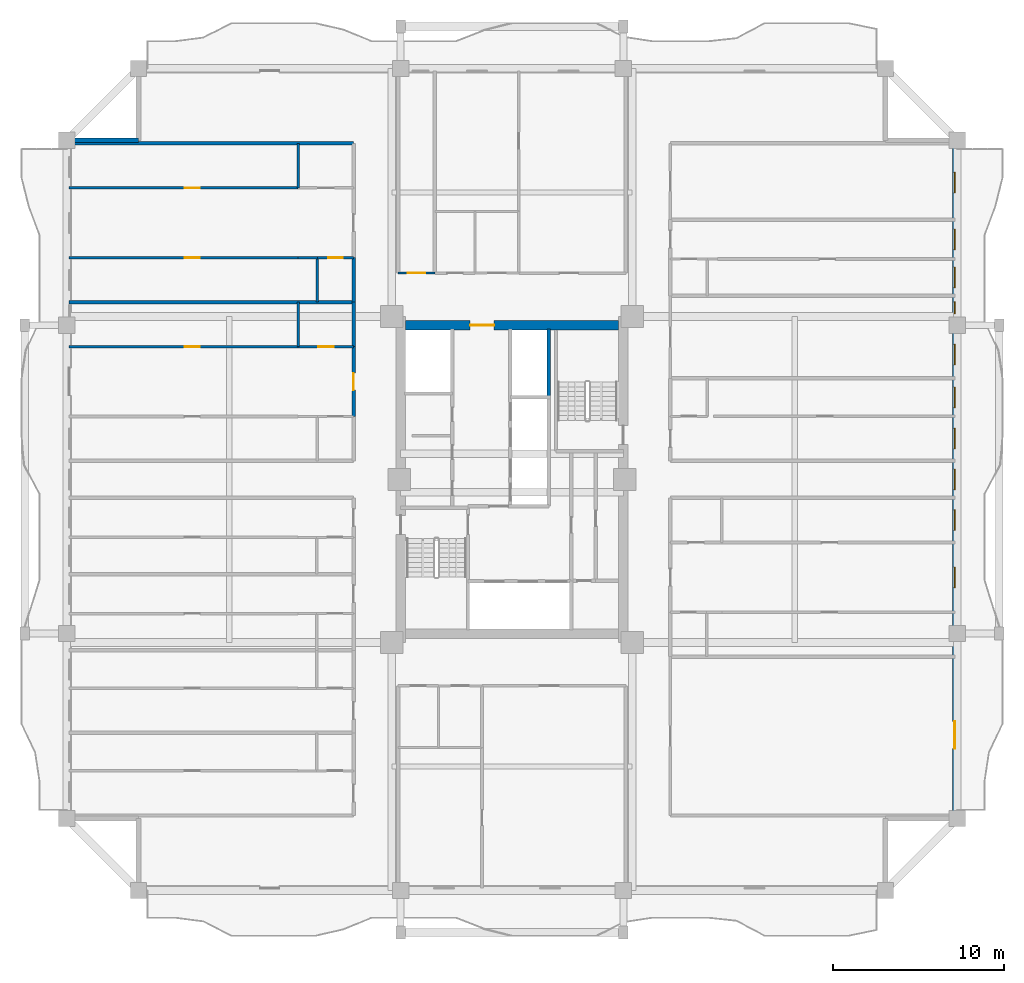
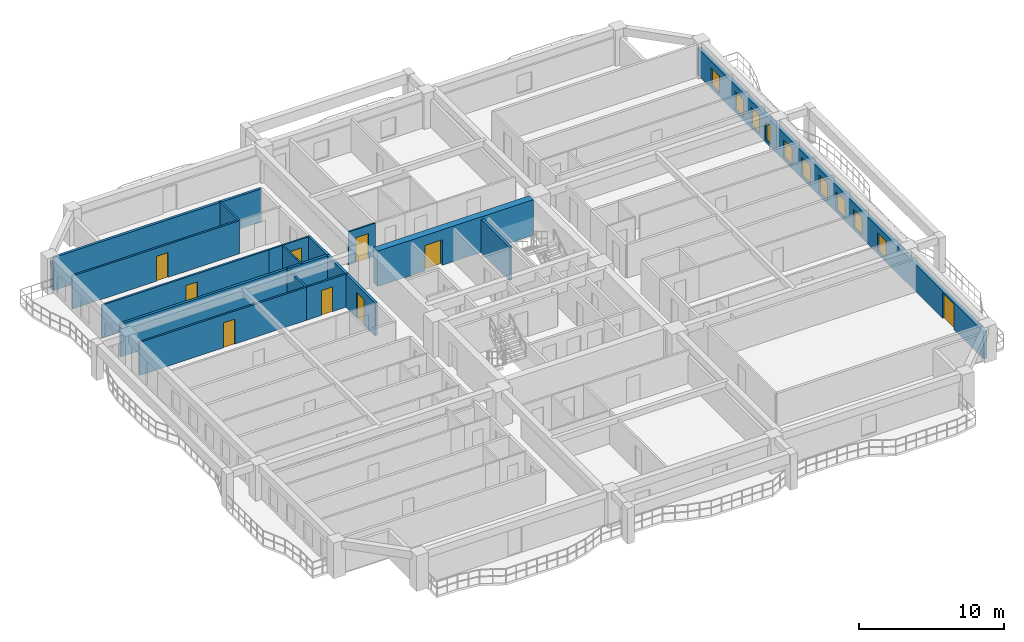
# One storey, part 6 of 13: 19 walls, 10 windows, 9 doors, 19 openings.
"""IFC4 building model written with IfcOpenShell, lengths in metres."""

from ifc_helpers import new_model, si_unit, direction, frame, frame_2d, origin, place, context, subcontext, project, spatial, rectangle, extrude, source, transform, mapped, material, layer, layer_set, type_object, element, fill, save


model = new_model("IFC4")

# Units and contexts
model_context = context("Model", 3, precision=1e-05, world=origin(), true_north=direction((0.0, 1.0)))
body_context = subcontext(model_context, "Body", "Model", "MODEL_VIEW")
ifc_project = project(units=[si_unit("LENGTHUNIT", "METRE"), si_unit("AREAUNIT", "SQUARE_METRE"), si_unit("VOLUMEUNIT", "CUBIC_METRE"), si_unit("PLANEANGLEUNIT", "RADIAN"), si_unit("MASSUNIT", "GRAM", prefix="KILO")], contexts=[model_context])

# Site, building, storey
site_placement = place(None, origin())
site = spatial("IfcSite", under=ifc_project, at=site_placement, CompositionType="ELEMENT")
building_placement = place(site_placement, origin())
building = spatial("IfcBuilding", under=site, at=building_placement, Name="Saelheon Loggia Tower", CompositionType="ELEMENT")
storey_placement = place(building_placement, frame((0.0, 0.0, 132.75)))
storey = spatial("IfcBuildingStorey", under=building, at=storey_placement, Name="L42", CompositionType="ELEMENT", Elevation=132.75)

# Wall, opening, door
ifc_material_1 = material(Name="Concrete C50/60", Category="concrete")
ifc_layer_1 = layer(ifc_material_1, 0.550048828125)
ifc_layer_set_1 = layer_set([ifc_layer_1], Name="Concrete C50/60")
wall_type_1 = type_object("IfcWallType", Name="Wall_CoreShear_550", PredefinedType="SHEAR", material=ifc_layer_set_1)
wall_1_placement = place(storey_placement, frame((31.77490234375, 36.0, 0.0), z_axis=(0.0, 0.0, 1.0), x_axis=(1.0, 0.0, 0.0)))
wall_1 = element("IfcWall", 1, at=wall_1_placement, inside=storey, type_object=wall_type_1, Name="L42 Core Shear Wall North", PredefinedType="SHEAR", context=body_context, shape_type="SweptSolid", body=[
    extrude(rectangle(XDim=12.4501953125, YDim=0.550048828125, at=frame_2d((6.22509765625, 0.0))), origin(), (0.0, 0.0, 1.0), 3.0),
])
opening_1_placement = place(wall_1_placement, frame((5.1748046875, 0.0, 0.0), z_axis=(0.0, 0.0, 1.0), x_axis=(-1.0, 0.0, 0.0)))
opening_1 = element("IfcOpeningElement", 2, at=opening_1_placement, cuts=wall_1, Name="Opening D-FD2L", PredefinedType="OPENING", context=body_context, shape_type="SweptSolid", body=[
    extrude(rectangle(XDim=1.39990234375, YDim=2.14990234375, at=frame_2d((0.699951171875, 1.074951171875))), frame((0.0, 0.287109375, 0.0), z_axis=(0.0, -1.0, 0.0), x_axis=(1.0, 0.0, 0.0)), (0.0, 0.0, 1.0), 0.573974609375),
])
ifc_material_2 = material(Name="Galvanised Steel Glazed Lobby Fire Door", Category="steel")
door_type_1 = type_object("IfcDoorType", Name="Door_Fire_FD60_1400", OperationType="NOTDEFINED", PredefinedType="DOOR", material=ifc_material_2)
shared_shape_1 = source(origin(), body_context, "Body", "SweptSolid", [
    extrude(rectangle(XDim=1.39990234375, YDim=2.14990234375, at=frame_2d((0.699951171875, 1.074951171875))), frame((0.0, 0.02490234375, 0.0), z_axis=(0.0, -1.0, 0.0), x_axis=(1.0, 0.0, 0.0)), (0.0, 0.0, 1.0), 0.050048828125),
])
door_1_placement = place(opening_1_placement, origin())
door_1 = element("IfcDoor", 3, at=door_1_placement, inside=storey, type_object=door_type_1, Name="L42 Passenger Lift Lobby Main Door", OperationType="SINGLE_SWING_RIGHT", OverallHeight=2.14990234375, OverallWidth=1.39990234375, PredefinedType="DOOR", context=body_context, shape_type="MappedRepresentation", body=[
    mapped(shared_shape_1, transform((0.0, 0.0, 0.0), scale=1.0)),
])
fill(opening_1, door_1)

# Wall, openings, windows, door
ifc_material_3 = material(Name="Architectural Precast Concrete C40/50", Category="concrete")
ifc_layer_2 = layer(ifc_material_3, 0.280029296875)
ifc_layer_set_2 = layer_set([ifc_layer_2], Name="Architectural Precast Concrete C40/50")
wall_type_2 = type_object("IfcWallType", Name="Wall_Ext_Loggia_280", PredefinedType="SOLIDWALL", material=ifc_layer_set_2)
wall_2_placement = place(storey_placement, frame((63.860107421875, 7.199951171875, 0.0), z_axis=(0.0, 0.0, 1.0), x_axis=(0.0, 1.0, 0.0)))
wall_2 = element("IfcWall", 4, at=wall_2_placement, inside=storey, type_object=wall_type_2, Name="L42 East Loggia Inner Wall", PredefinedType="SOLIDWALL", context=body_context, shape_type="SweptSolid", body=[
    extrude(rectangle(XDim=39.60009765625, YDim=0.280029296875, at=frame_2d((19.800048828125, 0.0))), origin(), (0.0, 0.0, 1.0), 2.280029296875),
])
opening_2_placement = place(wall_2_placement, frame((5.6826171875, 0.0, 0.0), z_axis=(0.0, 0.0, 1.0), x_axis=(-1.0, 0.0, 0.0)))
opening_2 = element("IfcOpeningElement", 5, at=opening_2_placement, cuts=wall_2, Name="Opening DLG-1", PredefinedType="OPENING", context=body_context, shape_type="SweptSolid", body=[
    extrude(rectangle(XDim=1.60009765625, YDim=2.14990234375, at=frame_2d((0.800048828125, 1.074951171875))), frame((0.0, 0.152099609375, 0.0), z_axis=(0.0, -1.0, 0.0), x_axis=(1.0, 0.0, 0.0)), (0.0, 0.0, 1.0), 0.303955078125),
])
opening_3_placement = place(wall_2_placement, frame((13.48291015625, 0.0, 0.25)))
opening_3 = element("IfcOpeningElement", 6, at=opening_3_placement, cuts=wall_2, Name="Opening WN-03", PredefinedType="OPENING", context=body_context, shape_type="SweptSolid", body=[
    extrude(rectangle(XDim=1.199951171875, YDim=1.5, at=frame_2d((0.60009765625, 0.75))), frame((0.0, 0.152099609375, 0.0), z_axis=(0.0, -1.0, 0.0), x_axis=(1.0, 0.0, 0.0)), (0.0, 0.0, 1.0), 0.303955078125),
])
opening_4_placement = place(wall_2_placement, frame((16.820068359375, 0.0, 0.25)))
opening_4 = element("IfcOpeningElement", 7, at=opening_4_placement, cuts=wall_2, Name="Opening WN-03", PredefinedType="OPENING", context=body_context, shape_type="SweptSolid", body=[
    extrude(rectangle(XDim=1.199951171875, YDim=1.5, at=frame_2d((0.60009765625, 0.75))), frame((0.0, 0.152099609375, 0.0), z_axis=(0.0, -1.0, 0.0), x_axis=(1.0, 0.0, 0.0)), (0.0, 0.0, 1.0), 0.303955078125),
])
opening_5_placement = place(wall_2_placement, frame((19.199951171875, 0.0, 0.25)))
opening_5 = element("IfcOpeningElement", 8, at=opening_5_placement, cuts=wall_2, Name="Opening WN-03", PredefinedType="OPENING", context=body_context, shape_type="SweptSolid", body=[
    extrude(rectangle(XDim=1.199951171875, YDim=1.5, at=frame_2d((0.60009765625, 0.75))), frame((0.0, 0.152099609375, 0.0), z_axis=(0.0, -1.0, 0.0), x_axis=(1.0, 0.0, 0.0)), (0.0, 0.0, 1.0), 0.303955078125),
])
opening_6_placement = place(wall_2_placement, frame((21.58154296875, 0.0, 0.25)))
opening_6 = element("IfcOpeningElement", 9, at=opening_6_placement, cuts=wall_2, Name="Opening WN-03", PredefinedType="OPENING", context=body_context, shape_type="SweptSolid", body=[
    extrude(rectangle(XDim=1.199951171875, YDim=1.5, at=frame_2d((0.60009765625, 0.75))), frame((0.0, 0.152099609375, 0.0), z_axis=(0.0, -1.0, 0.0), x_axis=(1.0, 0.0, 0.0)), (0.0, 0.0, 1.0), 0.303955078125),
])
opening_7_placement = place(wall_2_placement, frame((23.99169921875, 0.0, 0.25)))
opening_7 = element("IfcOpeningElement", 10, at=opening_7_placement, cuts=wall_2, Name="Opening WN-03", PredefinedType="OPENING", context=body_context, shape_type="SweptSolid", body=[
    extrude(rectangle(XDim=1.199951171875, YDim=1.5, at=frame_2d((0.60009765625, 0.75))), frame((0.0, 0.152099609375, 0.0), z_axis=(0.0, -1.0, 0.0), x_axis=(1.0, 0.0, 0.0)), (0.0, 0.0, 1.0), 0.303955078125),
])
opening_8_placement = place(wall_2_placement, frame((26.49267578125, 0.0, 0.25)))
opening_8 = element("IfcOpeningElement", 11, at=opening_8_placement, cuts=wall_2, Name="Opening WN-03", PredefinedType="OPENING", context=body_context, shape_type="SweptSolid", body=[
    extrude(rectangle(XDim=1.199951171875, YDim=1.5, at=frame_2d((0.60009765625, 0.75))), frame((0.0, 0.152099609375, 0.0), z_axis=(0.0, -1.0, 0.0), x_axis=(1.0, 0.0, 0.0)), (0.0, 0.0, 1.0), 0.303955078125),
])
opening_9_placement = place(wall_2_placement, frame((29.468017578125, 0.0, 0.25)))
opening_9 = element("IfcOpeningElement", 12, at=opening_9_placement, cuts=wall_2, Name="Opening WN-06", PredefinedType="OPENING", context=body_context, shape_type="SweptSolid", body=[
    extrude(rectangle(XDim=0.699951171875, YDim=1.5, at=frame_2d((0.35009765625, 0.75))), frame((0.0, 0.152099609375, 0.0), z_axis=(0.0, -1.0, 0.0), x_axis=(1.0, 0.0, 0.0)), (0.0, 0.0, 1.0), 0.303955078125),
])
opening_10_placement = place(wall_2_placement, frame((30.995849609375, 0.0, 0.25)))
opening_10 = element("IfcOpeningElement", 13, at=opening_10_placement, cuts=wall_2, Name="Opening WN-03", PredefinedType="OPENING", context=body_context, shape_type="SweptSolid", body=[
    extrude(rectangle(XDim=1.199951171875, YDim=1.5, at=frame_2d((0.60009765625, 0.75))), frame((0.0, 0.152099609375, 0.0), z_axis=(0.0, -1.0, 0.0), x_axis=(1.0, 0.0, 0.0)), (0.0, 0.0, 1.0), 0.303955078125),
])
opening_11_placement = place(wall_2_placement, frame((33.220703125, 0.0, 0.25)))
opening_11 = element("IfcOpeningElement", 14, at=opening_11_placement, cuts=wall_2, Name="Opening WN-03", PredefinedType="OPENING", context=body_context, shape_type="SweptSolid", body=[
    extrude(rectangle(XDim=1.199951171875, YDim=1.5, at=frame_2d((0.60009765625, 0.75))), frame((0.0, 0.152099609375, 0.0), z_axis=(0.0, -1.0, 0.0), x_axis=(1.0, 0.0, 0.0)), (0.0, 0.0, 1.0), 0.303955078125),
])
opening_12_placement = place(wall_2_placement, frame((36.527587890625, 0.0, 0.25)))
opening_12 = element("IfcOpeningElement", 15, at=opening_12_placement, cuts=wall_2, Name="Opening WN-03", PredefinedType="OPENING", context=body_context, shape_type="SweptSolid", body=[
    extrude(rectangle(XDim=1.199951171875, YDim=1.5, at=frame_2d((0.60009765625, 0.75))), frame((0.0, 0.152099609375, 0.0), z_axis=(0.0, -1.0, 0.0), x_axis=(1.0, 0.0, 0.0)), (0.0, 0.0, 1.0), 0.303955078125),
])
ifc_material_4 = material(Name="Thermal-Break Aluminium and Triple Low-E Glass", Category="aluminium")
window_type_1 = type_object("IfcWindowType", Name="Win_Slot_700x1500", PartitioningType="SINGLE_PANEL", PredefinedType="WINDOW", material=ifc_material_4)
shared_shape_2 = source(origin(), body_context, "Body", "SweptSolid", [
    extrude(rectangle(XDim=0.699951171875, YDim=1.5, at=frame_2d((0.35009765625, 0.75))), frame((0.0, 0.030029296875, 0.0), z_axis=(0.0, -1.0, 0.0), x_axis=(1.0, 0.0, 0.0)), (0.0, 0.0, 1.0), 0.06005859375),
])
window_1_placement = place(opening_9_placement, origin())
window_1 = element("IfcWindow", 16, at=window_1_placement, inside=storey, type_object=window_type_1, Name="L42 E Dwelling Window 8", OverallHeight=1.5, OverallWidth=0.699951171875, PartitioningType="SINGLE_PANEL", PredefinedType="WINDOW", context=body_context, shape_type="MappedRepresentation", body=[
    mapped(shared_shape_2, transform((0.0, 0.0, 0.0), scale=1.0)),
])
fill(opening_9, window_1)
window_type_2 = type_object("IfcWindowType", Name="Win_Bedroom_1200x1500", PartitioningType="SINGLE_PANEL", PredefinedType="WINDOW", material=ifc_material_4)
shared_shape_3 = source(origin(), body_context, "Body", "SweptSolid", [
    extrude(rectangle(XDim=1.199951171875, YDim=1.5, at=frame_2d((0.60009765625, 0.75))), frame((0.0, 0.030029296875, 0.0), z_axis=(0.0, -1.0, 0.0), x_axis=(1.0, 0.0, 0.0)), (0.0, 0.0, 1.0), 0.06005859375),
])
window_2_placement = place(opening_3_placement, origin())
window_2 = element("IfcWindow", 17, at=window_2_placement, inside=storey, type_object=window_type_2, Name="L42 E Dwelling Window 2", OverallHeight=1.5, OverallWidth=1.199951171875, PartitioningType="SINGLE_PANEL", PredefinedType="WINDOW", context=body_context, shape_type="MappedRepresentation", body=[
    mapped(shared_shape_3, transform((0.0, 0.0, 0.0), scale=1.0)),
])
fill(opening_3, window_2)
window_3_placement = place(opening_4_placement, origin())
window_3 = element("IfcWindow", 18, at=window_3_placement, inside=storey, type_object=window_type_2, Name="L42 E Dwelling Window 3", OverallHeight=1.5, OverallWidth=1.199951171875, PartitioningType="SINGLE_PANEL", PredefinedType="WINDOW", context=body_context, shape_type="MappedRepresentation", body=[
    mapped(shared_shape_3, transform((0.0, 0.0, 0.0), scale=1.0)),
])
fill(opening_4, window_3)
window_4_placement = place(opening_5_placement, origin())
window_4 = element("IfcWindow", 19, at=window_4_placement, inside=storey, type_object=window_type_2, Name="L42 E Dwelling Window 4", OverallHeight=1.5, OverallWidth=1.199951171875, PartitioningType="SINGLE_PANEL", PredefinedType="WINDOW", context=body_context, shape_type="MappedRepresentation", body=[
    mapped(shared_shape_3, transform((0.0, 0.0, 0.0), scale=1.0)),
])
fill(opening_5, window_4)
window_5_placement = place(opening_6_placement, origin())
window_5 = element("IfcWindow", 20, at=window_5_placement, inside=storey, type_object=window_type_2, Name="L42 E Dwelling Window 5", OverallHeight=1.5, OverallWidth=1.199951171875, PartitioningType="SINGLE_PANEL", PredefinedType="WINDOW", context=body_context, shape_type="MappedRepresentation", body=[
    mapped(shared_shape_3, transform((0.0, 0.0, 0.0), scale=1.0)),
])
fill(opening_6, window_5)
window_6_placement = place(opening_7_placement, origin())
window_6 = element("IfcWindow", 21, at=window_6_placement, inside=storey, type_object=window_type_2, Name="L42 E Dwelling Window 6", OverallHeight=1.5, OverallWidth=1.199951171875, PartitioningType="SINGLE_PANEL", PredefinedType="WINDOW", context=body_context, shape_type="MappedRepresentation", body=[
    mapped(shared_shape_3, transform((0.0, 0.0, 0.0), scale=1.0)),
])
fill(opening_7, window_6)
window_7_placement = place(opening_8_placement, origin())
window_7 = element("IfcWindow", 22, at=window_7_placement, inside=storey, type_object=window_type_2, Name="L42 E Dwelling Window 7", OverallHeight=1.5, OverallWidth=1.199951171875, PartitioningType="SINGLE_PANEL", PredefinedType="WINDOW", context=body_context, shape_type="MappedRepresentation", body=[
    mapped(shared_shape_3, transform((0.0, 0.0, 0.0), scale=1.0)),
])
fill(opening_8, window_7)
window_8_placement = place(opening_10_placement, origin())
window_8 = element("IfcWindow", 23, at=window_8_placement, inside=storey, type_object=window_type_2, Name="L42 E Dwelling Window 9", OverallHeight=1.5, OverallWidth=1.199951171875, PartitioningType="SINGLE_PANEL", PredefinedType="WINDOW", context=body_context, shape_type="MappedRepresentation", body=[
    mapped(shared_shape_3, transform((0.0, 0.0, 0.0), scale=1.0)),
])
fill(opening_10, window_8)
window_9_placement = place(opening_11_placement, origin())
window_9 = element("IfcWindow", 24, at=window_9_placement, inside=storey, type_object=window_type_2, Name="L42 E Dwelling Window 10", OverallHeight=1.5, OverallWidth=1.199951171875, PartitioningType="SINGLE_PANEL", PredefinedType="WINDOW", context=body_context, shape_type="MappedRepresentation", body=[
    mapped(shared_shape_3, transform((0.0, 0.0, 0.0), scale=1.0)),
])
fill(opening_11, window_9)
window_10_placement = place(opening_12_placement, origin())
window_10 = element("IfcWindow", 25, at=window_10_placement, inside=storey, type_object=window_type_2, Name="L42 E Dwelling Window 11", OverallHeight=1.5, OverallWidth=1.199951171875, PartitioningType="SINGLE_PANEL", PredefinedType="WINDOW", context=body_context, shape_type="MappedRepresentation", body=[
    mapped(shared_shape_3, transform((0.0, 0.0, 0.0), scale=1.0)),
])
fill(opening_12, window_10)
ifc_material_5 = material(Name="Thermal-Break Aluminium Sliding Glazed Door", Category="aluminium")
door_type_2 = type_object("IfcDoorType", Name="Door_LoggiaSlide_1600", OperationType="SLIDING_TO_LEFT", PredefinedType="DOOR", material=ifc_material_5)
shared_shape_4 = source(origin(), body_context, "Body", "SweptSolid", [
    extrude(rectangle(XDim=1.60009765625, YDim=2.14990234375, at=frame_2d((0.800048828125, 1.074951171875))), frame((0.0, 0.02490234375, 0.0), z_axis=(0.0, -1.0, 0.0), x_axis=(1.0, 0.0, 0.0)), (0.0, 0.0, 1.0), 0.050048828125),
])
door_2_placement = place(opening_2_placement, origin())
door_2 = element("IfcDoor", 26, at=door_2_placement, inside=storey, type_object=door_type_2, Name="L42 E Loggia Access Door", OperationType="SLIDING_TO_LEFT", OverallHeight=2.14990234375, OverallWidth=1.60009765625, PredefinedType="DOOR", context=body_context, shape_type="MappedRepresentation", body=[
    mapped(shared_shape_4, transform((0.0, 0.0, 0.0), scale=1.0)),
])
fill(opening_2, door_2)

# Walls
wall_3_placement = place(storey_placement, frame((12.080078125, 46.800048828125, 0.0), z_axis=(0.0, 0.0, 1.0), x_axis=(1.0, 0.0, 0.0)))
element("IfcWall", 27, at=wall_3_placement, inside=storey, type_object=wall_type_2, Name="L42 Corner Notch Precast Wall NW2", PredefinedType="SOLIDWALL", context=body_context, shape_type="SweptSolid", body=[
    extrude(rectangle(XDim=4.119873046875, YDim=0.280029296875, at=frame_2d((2.06005859375, 0.0))), origin(), (0.0, 0.0, 1.0), 2.280029296875),
])
ifc_material_6 = material(Name="Lightweight Autoclaved Aerated Concrete Block and Acoustic Gypsum", Category="concrete")
ifc_layer_3 = layer(ifc_material_6, 0.14990234375)
ifc_layer_set_3 = layer_set([ifc_layer_3], Name="Lightweight Autoclaved Aerated Concrete Block and Acoustic Gypsum")
wall_type_3 = type_object("IfcWallType", Name="Wall_Part_150", PredefinedType="PARTITIONING", material=ifc_layer_set_3)
wall_4_placement = place(storey_placement, frame((25.510009765625, 34.75, 0.0), z_axis=(0.0, 0.0, 1.0), x_axis=(0.0, 1.0, 0.0)))
element("IfcWall", 28, at=wall_4_placement, inside=storey, type_object=wall_type_3, Name="L42 WN Partition V07", PredefinedType="PARTITIONING", context=body_context, shape_type="SweptSolid", body=[
    extrude(rectangle(XDim=2.60009765625, YDim=0.14990234375, at=frame_2d((1.300048828125, 0.0))), origin(), (0.0, 0.0, 1.0), 2.7900390625),
])

# Wall, opening, door
wall_5_placement = place(storey_placement, frame((28.75, 34.75, 0.0), z_axis=(0.0, 0.0, 1.0), x_axis=(-1.0, 0.0, 0.0)))
wall_5 = element("IfcWall", 29, at=wall_5_placement, inside=storey, type_object=wall_type_3, Name="L42 WN Partition U11", PredefinedType="PARTITIONING", context=body_context, shape_type="SweptSolid", body=[
    extrude(rectangle(XDim=3.239990234375, YDim=0.14990234375, at=frame_2d((1.6201171875, 0.0))), origin(), (0.0, 0.0, 1.0), 2.7900390625),
])
opening_13_placement = place(wall_5_placement, frame((1.169921875, 0.0, 0.0)))
opening_13 = element("IfcOpeningElement", 30, at=opening_13_placement, cuts=wall_5, Name="Opening D-IN2", PredefinedType="OPENING", context=body_context, shape_type="SweptSolid", body=[
    extrude(rectangle(XDim=0.89990234375, YDim=2.10009765625, at=frame_2d((0.449951171875, 1.050048828125))), frame((0.0, 0.0869140625, 0.0), z_axis=(0.0, -1.0, 0.0), x_axis=(1.0, 0.0, 0.0)), (0.0, 0.0, 1.0), 0.173828125),
])
ifc_material_7 = material(Name="Engineered Oak Flush Door", Category="timber")
door_type_3 = type_object("IfcDoorType", Name="Door_Int_900", OperationType="NOTDEFINED", PredefinedType="DOOR", material=ifc_material_7)
shared_shape_5 = source(origin(), body_context, "Body", "SweptSolid", [
    extrude(rectangle(XDim=0.89990234375, YDim=2.10009765625, at=frame_2d((0.449951171875, 1.050048828125))), frame((0.0, 0.02490234375, 0.0), z_axis=(0.0, -1.0, 0.0), x_axis=(1.0, 0.0, 0.0)), (0.0, 0.0, 1.0), 0.050048828125),
])
door_3_placement = place(opening_13_placement, origin())
door_3 = element("IfcDoor", 31, at=door_3_placement, inside=storey, type_object=door_type_3, Name="Unit U05 Dressing Closet Door", OperationType="SINGLE_SWING_RIGHT", OverallHeight=2.10009765625, OverallWidth=0.89990234375, PredefinedType="DOOR", context=body_context, shape_type="MappedRepresentation", body=[
    mapped(shared_shape_5, transform((0.0, 0.0, 0.0), scale=1.0)),
])
fill(opening_13, door_3)

wall_6_placement = place(storey_placement, frame((25.510009765625, 34.75, 0.0), z_axis=(0.0, 0.0, 1.0), x_axis=(-1.0, 0.0, 0.0)))
wall_6 = element("IfcWall", 32, at=wall_6_placement, inside=storey, type_object=wall_type_3, Name="L42 WN Partition U12", PredefinedType="PARTITIONING", context=body_context, shape_type="SweptSolid", body=[
    extrude(rectangle(XDim=13.360107421875, YDim=0.14990234375, at=frame_2d((6.68017578125, 0.0))), origin(), (0.0, 0.0, 1.0), 2.7900390625),
])
opening_14_placement = place(wall_6_placement, frame((5.730712890625, 0.0, 0.0)))
opening_14 = element("IfcOpeningElement", 33, at=opening_14_placement, cuts=wall_6, Name="Opening D-IN2", PredefinedType="OPENING", context=body_context, shape_type="SweptSolid", body=[
    extrude(rectangle(XDim=0.89990234375, YDim=2.10009765625, at=frame_2d((0.449951171875, 1.050048828125))), frame((0.0, 0.0869140625, 0.0), z_axis=(0.0, -1.0, 0.0), x_axis=(1.0, 0.0, 0.0)), (0.0, 0.0, 1.0), 0.173828125),
])
door_4_placement = place(opening_14_placement, origin())
door_4 = element("IfcDoor", 34, at=door_4_placement, inside=storey, type_object=door_type_3, Name="Unit U05 Bedroom 1 Door", OperationType="SINGLE_SWING_LEFT", OverallHeight=2.10009765625, OverallWidth=0.89990234375, PredefinedType="DOOR", context=body_context, shape_type="MappedRepresentation", body=[
    mapped(shared_shape_5, transform((0.0, 0.0, 0.0), scale=1.0)),
])
fill(opening_14, door_4)

# Wall
wall_7_placement = place(storey_placement, frame((25.510009765625, 44.02001953125, 0.0), z_axis=(0.0, 0.0, 1.0), x_axis=(0.0, 1.0, 0.0)))
element("IfcWall", 35, at=wall_7_placement, inside=storey, type_object=wall_type_3, Name="L42 WN Partition V18", PredefinedType="PARTITIONING", context=body_context, shape_type="SweptSolid", body=[
    extrude(rectangle(XDim=2.60009765625, YDim=0.14990234375, at=frame_2d((1.300048828125, 0.0))), origin(), (0.0, 0.0, 1.0), 2.7900390625),
])

# Wall, opening, door
wall_8_placement = place(storey_placement, frame((25.510009765625, 39.945556640625, 0.0), z_axis=(0.0, 0.0, 1.0), x_axis=(-1.0, 0.0, 0.0)))
wall_8 = element("IfcWall", 36, at=wall_8_placement, inside=storey, type_object=wall_type_3, Name="L42 WN Partition U21", PredefinedType="PARTITIONING", context=body_context, shape_type="SweptSolid", body=[
    extrude(rectangle(XDim=13.360107421875, YDim=0.14990234375, at=frame_2d((6.68017578125, 0.0))), origin(), (0.0, 0.0, 1.0), 2.7900390625),
])
opening_15_placement = place(wall_8_placement, frame((5.730712890625, 0.0, 0.0)))
opening_15 = element("IfcOpeningElement", 37, at=opening_15_placement, cuts=wall_8, Name="Opening D-IN2", PredefinedType="OPENING", context=body_context, shape_type="SweptSolid", body=[
    extrude(rectangle(XDim=0.89990234375, YDim=2.10009765625, at=frame_2d((0.449951171875, 1.050048828125))), frame((0.0, 0.0869140625, 0.0), z_axis=(0.0, -1.0, 0.0), x_axis=(1.0, 0.0, 0.0)), (0.0, 0.0, 1.0), 0.173828125),
])
door_5_placement = place(opening_15_placement, origin())
door_5 = element("IfcDoor", 38, at=door_5_placement, inside=storey, type_object=door_type_3, Name="Unit U06 Kitchen Door", OperationType="SINGLE_SWING_RIGHT", OverallHeight=2.10009765625, OverallWidth=0.89990234375, PredefinedType="DOOR", context=body_context, shape_type="MappedRepresentation", body=[
    mapped(shared_shape_5, transform((0.0, 0.0, 0.0), scale=1.0)),
])
fill(opening_15, door_5)

wall_9_placement = place(storey_placement, frame((25.510009765625, 44.02001953125, 0.0), z_axis=(0.0, 0.0, 1.0), x_axis=(-1.0, 0.0, 0.0)))
wall_9 = element("IfcWall", 39, at=wall_9_placement, inside=storey, type_object=wall_type_3, Name="L42 WN Partition U23", PredefinedType="PARTITIONING", context=body_context, shape_type="SweptSolid", body=[
    extrude(rectangle(XDim=13.360107421875, YDim=0.14990234375, at=frame_2d((6.68017578125, 0.0))), origin(), (0.0, 0.0, 1.0), 2.7900390625),
])
opening_16_placement = place(wall_9_placement, frame((5.730712890625, 0.0, 0.0)))
opening_16 = element("IfcOpeningElement", 40, at=opening_16_placement, cuts=wall_9, Name="Opening D-IN2", PredefinedType="OPENING", context=body_context, shape_type="SweptSolid", body=[
    extrude(rectangle(XDim=0.89990234375, YDim=2.10009765625, at=frame_2d((0.449951171875, 1.050048828125))), frame((0.0, 0.0869140625, 0.0), z_axis=(0.0, -1.0, 0.0), x_axis=(1.0, 0.0, 0.0)), (0.0, 0.0, 1.0), 0.173828125),
])
door_6_placement = place(opening_16_placement, origin())
door_6 = element("IfcDoor", 41, at=door_6_placement, inside=storey, type_object=door_type_3, Name="Unit U06 Bedroom 1 Door", OperationType="SINGLE_SWING_RIGHT", OverallHeight=2.10009765625, OverallWidth=0.89990234375, PredefinedType="DOOR", context=body_context, shape_type="MappedRepresentation", body=[
    mapped(shared_shape_5, transform((0.0, 0.0, 0.0), scale=1.0)),
])
fill(opening_16, door_6)

# Wall
ifc_material_8 = material(Name="Double Acoustic Stud and Fireboard Partition", Category="gypsum")
ifc_layer_4 = layer(ifc_material_8, 0.199951171875)
ifc_layer_set_4 = layer_set([ifc_layer_4], Name="Double Acoustic Stud and Fireboard Partition")
wall_type_4 = type_object("IfcWallType", Name="Wall_Party_200", PredefinedType="PARTITIONING", material=ifc_layer_set_4)
wall_10_placement = place(storey_placement, frame((28.75, 46.6201171875, 0.0), z_axis=(0.0, 0.0, 1.0), x_axis=(-1.0, 0.0, 0.0)))
element("IfcWall", 42, at=wall_10_placement, inside=storey, type_object=wall_type_4, Name="L42 WN Partition U02", PredefinedType="PARTITIONING", context=body_context, shape_type="SweptSolid", body=[
    extrude(rectangle(XDim=16.60009765625, YDim=0.199951171875, at=frame_2d((8.300048828125, 0.0))), origin(), (0.0, 0.0, 1.0), 2.7900390625),
])

# Wall, opening, door
wall_11_placement = place(storey_placement, frame((28.75, 30.675537109375, 0.0), z_axis=(0.0, 0.0, 1.0), x_axis=(0.0, 1.0, 0.0)))
wall_11 = element("IfcWall", 43, at=wall_11_placement, inside=storey, type_object=wall_type_4, Name="L42 WN Partition V04", PredefinedType="PARTITIONING", context=body_context, shape_type="SweptSolid", body=[
    extrude(rectangle(XDim=4.074462890625, YDim=0.199951171875, at=frame_2d((2.037109375, 0.0))), origin(), (0.0, 0.0, 1.0), 2.7900390625),
])
opening_17_placement = place(wall_11_placement, frame((1.537109375, 0.0, 0.0)))
opening_17 = element("IfcOpeningElement", 44, at=opening_17_placement, cuts=wall_11, Name="Opening D-FD1", PredefinedType="OPENING", context=body_context, shape_type="SweptSolid", body=[
    extrude(rectangle(XDim=1.0, YDim=2.14990234375, at=frame_2d((0.5, 1.074951171875))), frame((0.0, 0.112060546875, 0.0), z_axis=(0.0, -1.0, 0.0), x_axis=(1.0, 0.0, 0.0)), (0.0, 0.0, 1.0), 0.223876953125),
])
ifc_material_9 = material(Name="Fire-Rated Engineered Timber Entrance Door", Category="wood")
door_type_4 = type_object("IfcDoorType", Name="Door_Flat_FD30S", OperationType="NOTDEFINED", PredefinedType="DOOR", material=ifc_material_9)
shared_shape_6 = source(origin(), body_context, "Body", "SweptSolid", [
    extrude(rectangle(XDim=1.0, YDim=2.14990234375, at=frame_2d((0.5, 1.074951171875))), frame((0.0, 0.02490234375, 0.0), z_axis=(0.0, -1.0, 0.0), x_axis=(1.0, 0.0, 0.0)), (0.0, 0.0, 1.0), 0.050048828125),
])
door_7_placement = place(opening_17_placement, origin())
door_7 = element("IfcDoor", 45, at=door_7_placement, inside=storey, type_object=door_type_4, Name="Unit U05 Entrance Door", OperationType="SINGLE_SWING_LEFT", OverallHeight=2.14990234375, OverallWidth=1.0, PredefinedType="DOOR", context=body_context, shape_type="MappedRepresentation", body=[
    mapped(shared_shape_6, transform((0.0, 0.0, 0.0), scale=1.0)),
])
fill(opening_17, door_7)

# Walls
wall_12_placement = place(storey_placement, frame((28.75, 34.75, 0.0), z_axis=(0.0, 0.0, 1.0), x_axis=(0.0, 1.0, 0.0)))
element("IfcWall", 46, at=wall_12_placement, inside=storey, type_object=wall_type_4, Name="L42 WN Partition V05", PredefinedType="PARTITIONING", context=body_context, shape_type="SweptSolid", body=[
    extrude(rectangle(XDim=2.60009765625, YDim=0.199951171875, at=frame_2d((1.300048828125, 0.0))), origin(), (0.0, 0.0, 1.0), 2.7900390625),
])
wall_13_placement = place(storey_placement, frame((28.75, 37.35009765625, 0.0), z_axis=(0.0, 0.0, 1.0), x_axis=(-1.0, 0.0, 0.0)))
element("IfcWall", 47, at=wall_13_placement, inside=storey, type_object=wall_type_4, Name="L42 WN Partition U13", PredefinedType="PARTITIONING", context=body_context, shape_type="SweptSolid", body=[
    extrude(rectangle(XDim=16.60009765625, YDim=0.199951171875, at=frame_2d((8.300048828125, 0.0))), origin(), (0.0, 0.0, 1.0), 2.7900390625),
])
wall_14_placement = place(storey_placement, frame((28.75, 37.35009765625, 0.0), z_axis=(0.0, 0.0, 1.0), x_axis=(0.0, 1.0, 0.0)))
element("IfcWall", 48, at=wall_14_placement, inside=storey, type_object=wall_type_4, Name="L42 WN Partition V14", PredefinedType="PARTITIONING", context=body_context, shape_type="SweptSolid", body=[
    extrude(rectangle(XDim=2.595458984375, YDim=0.199951171875, at=frame_2d((1.2978515625, 0.0))), origin(), (0.0, 0.0, 1.0), 2.7900390625),
])
ifc_material_10 = material(Name="Concrete C40/50", Category="concrete")
ifc_layer_5 = layer(ifc_material_10, 0.199951171875)
ifc_layer_set_5 = layer_set([ifc_layer_5], Name="Concrete C40/50")
wall_type_5 = type_object("IfcWallType", Name="Wall_Shaft_200", PredefinedType="PARTITIONING", material=ifc_layer_set_5)
wall_15_placement = place(storey_placement, frame((40.14990234375, 31.800048828125, 0.0), z_axis=(0.0, 0.0, 1.0), x_axis=(0.0, 1.0, 0.0)))
element("IfcWall", 49, at=wall_15_placement, inside=storey, type_object=wall_type_5, Name="L42 East High-Rise Hoistway East Wall", PredefinedType="PARTITIONING", context=body_context, shape_type="SweptSolid", body=[
    extrude(rectangle(XDim=3.97998046875, YDim=0.199951171875, at=frame_2d((1.989990234375, 0.0))), origin(), (0.0, 0.0, 1.0), 2.7900390625),
])

# Wall, opening, door
ifc_material_11 = material(Name="Moisture-Resistant Cement Board Partition", Category="gypsum")
ifc_layer_6 = layer(ifc_material_11, 0.1201171875)
ifc_layer_set_6 = layer_set([ifc_layer_6], Name="Moisture-Resistant Cement Board Partition")
wall_type_6 = type_object("IfcWallType", Name="Wall_WetPart_120", PredefinedType="PARTITIONING", material=ifc_layer_set_6)
wall_16_placement = place(storey_placement, frame((31.35009765625, 39.050048828125, 0.0), z_axis=(0.0, 0.0, 1.0), x_axis=(1.0, 0.0, 0.0)))
wall_16 = element("IfcWall", 50, at=wall_16_placement, inside=storey, type_object=wall_type_6, Name="L42 N Partition V04", PredefinedType="PARTITIONING", context=body_context, shape_type="SweptSolid", body=[
    extrude(rectangle(XDim=2.14990234375, YDim=0.1201171875, at=frame_2d((1.074951171875, 0.0))), origin(), (0.0, 0.0, 1.0), 2.7900390625),
])
opening_18_placement = place(wall_16_placement, frame((0.574951171875, 0.0, 0.0)))
opening_18 = element("IfcOpeningElement", 51, at=opening_18_placement, cuts=wall_16, Name="Opening D-AC1", PredefinedType="OPENING", context=body_context, shape_type="SweptSolid", body=[
    extrude(rectangle(XDim=1.0, YDim=2.10009765625, at=frame_2d((0.5, 1.050048828125))), frame((0.0, 0.072021484375, 0.0), z_axis=(0.0, -1.0, 0.0), x_axis=(1.0, 0.0, 0.0)), (0.0, 0.0, 1.0), 0.14404296875),
])
ifc_material_12 = material(Name="Accessible Laminate Flush Door", Category="timber")
door_type_5 = type_object("IfcDoorType", Name="Door_Acc_1000", OperationType="NOTDEFINED", PredefinedType="DOOR", material=ifc_material_12)
shared_shape_7 = source(origin(), body_context, "Body", "SweptSolid", [
    extrude(rectangle(XDim=1.0, YDim=2.10009765625, at=frame_2d((0.5, 1.050048828125))), frame((0.0, 0.02490234375, 0.0), z_axis=(0.0, -1.0, 0.0), x_axis=(1.0, 0.0, 0.0)), (0.0, 0.0, 1.0), 0.050048828125),
])
door_8_placement = place(opening_18_placement, origin())
door_8 = element("IfcDoor", 52, at=door_8_placement, inside=storey, type_object=door_type_5, Name="L42 Floor Accessible WC Door", OperationType="SINGLE_SWING_RIGHT", OverallHeight=2.10009765625, OverallWidth=1.0, PredefinedType="DOOR", context=body_context, shape_type="MappedRepresentation", body=[
    mapped(shared_shape_7, transform((0.0, 0.0, 0.0), scale=1.0)),
])
fill(opening_18, door_8)

# Wall
wall_17_placement = place(storey_placement, frame((26.6298828125, 37.35009765625, 0.0), z_axis=(0.0, 0.0, 1.0), x_axis=(0.0, 1.0, 0.0)))
element("IfcWall", 53, at=wall_17_placement, inside=storey, type_object=wall_type_6, Name="L42 WN Partition V17", PredefinedType="PARTITIONING", context=body_context, shape_type="SweptSolid", body=[
    extrude(rectangle(XDim=2.595458984375, YDim=0.1201171875, at=frame_2d((1.2978515625, 0.0))), origin(), (0.0, 0.0, 1.0), 2.7900390625),
])

# Wall, opening, door
wall_18_placement = place(storey_placement, frame((28.75, 39.945556640625, 0.0), z_axis=(0.0, 0.0, 1.0), x_axis=(-1.0, 0.0, 0.0)))
wall_18 = element("IfcWall", 54, at=wall_18_placement, inside=storey, type_object=wall_type_6, Name="L42 WN Partition U19", PredefinedType="PARTITIONING", context=body_context, shape_type="SweptSolid", body=[
    extrude(rectangle(XDim=2.1201171875, YDim=0.1201171875, at=frame_2d((1.06005859375, 0.0))), origin(), (0.0, 0.0, 1.0), 2.7900390625),
])
opening_19_placement = place(wall_18_placement, frame((0.635009765625, 0.0, 0.0)))
opening_19 = element("IfcOpeningElement", 55, at=opening_19_placement, cuts=wall_18, Name="Opening D-BT1", PredefinedType="OPENING", context=body_context, shape_type="SweptSolid", body=[
    extrude(rectangle(XDim=0.85009765625, YDim=2.050048828125, at=frame_2d((0.425048828125, 1.02490234375))), frame((0.0, 0.072021484375, 0.0), z_axis=(0.0, -1.0, 0.0), x_axis=(1.0, 0.0, 0.0)), (0.0, 0.0, 1.0), 0.14404296875),
])
ifc_material_13 = material(Name="Moisture-Resistant Laminate Timber Door", Category="wood")
door_type_6 = type_object("IfcDoorType", Name="Door_Bath_850", OperationType="NOTDEFINED", PredefinedType="DOOR", material=ifc_material_13)
shared_shape_8 = source(origin(), body_context, "Body", "SweptSolid", [
    extrude(rectangle(XDim=0.85009765625, YDim=2.050048828125, at=frame_2d((0.425048828125, 1.02490234375))), frame((0.0, 0.02490234375, 0.0), z_axis=(0.0, -1.0, 0.0), x_axis=(1.0, 0.0, 0.0)), (0.0, 0.0, 1.0), 0.050048828125),
])
door_9_placement = place(opening_19_placement, origin())
door_9 = element("IfcDoor", 56, at=door_9_placement, inside=storey, type_object=door_type_6, Name="Unit U06 Bathroom Door", OperationType="SINGLE_SWING_LEFT", OverallHeight=2.050048828125, OverallWidth=0.85009765625, PredefinedType="DOOR", context=body_context, shape_type="MappedRepresentation", body=[
    mapped(shared_shape_8, transform((0.0, 0.0, 0.0), scale=1.0)),
])
fill(opening_19, door_9)

# Wall
wall_19_placement = place(storey_placement, frame((26.6298828125, 39.945556640625, 0.0), z_axis=(0.0, 0.0, 1.0), x_axis=(-1.0, 0.0, 0.0)))
element("IfcWall", 57, at=wall_19_placement, inside=storey, type_object=wall_type_6, Name="L42 WN Partition U20", PredefinedType="PARTITIONING", context=body_context, shape_type="SweptSolid", body=[
    extrude(rectangle(XDim=1.119873046875, YDim=0.1201171875, at=frame_2d((0.56005859375, 0.0))), origin(), (0.0, 0.0, 1.0), 2.7900390625),
])

save(model, "model.ifc")
